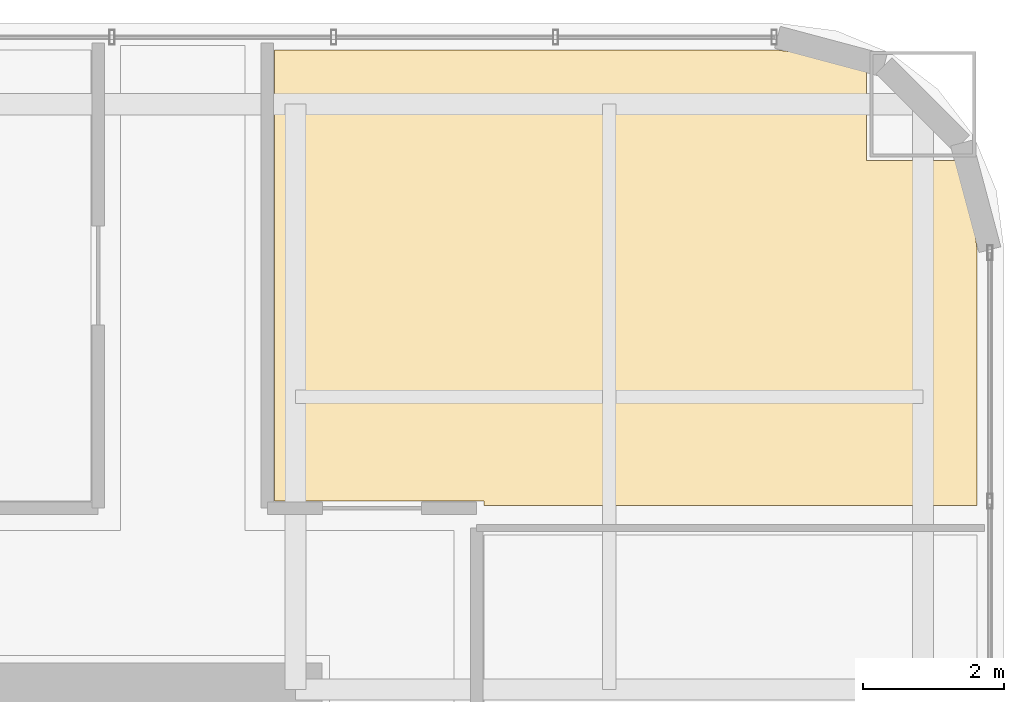
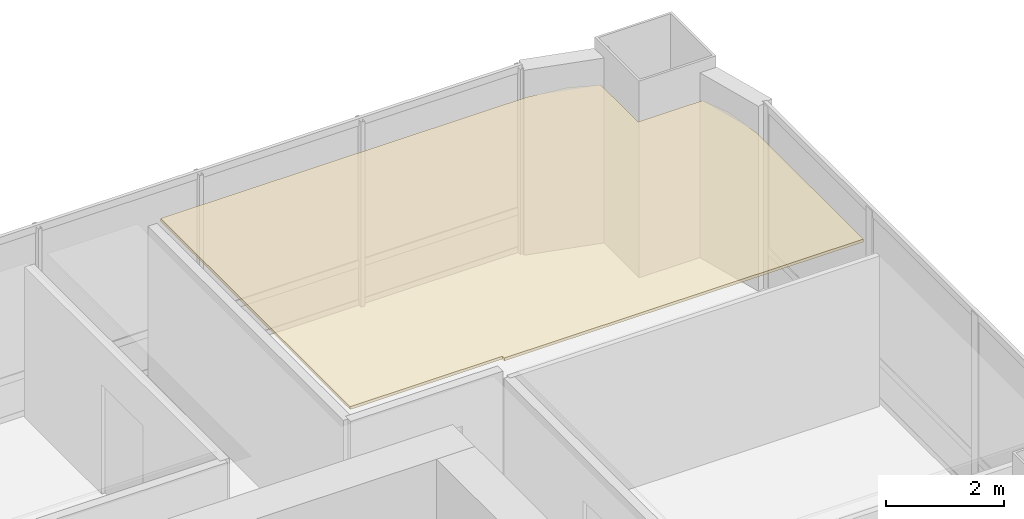
# One storey, part 37 of 37: 1 covering.
"""IFC4 building model written with IfcOpenShell, lengths in metres."""

from ifc_helpers import new_model, si_unit, direction, frame, origin, place, context, subcontext, project, spatial, polyline, outline, extrude, material, layer, layer_set, type_object, element, save


model = new_model("IFC4")

# Units and contexts
model_context = context("Model", 3, precision=1e-05, world=origin(), true_north=direction((0.0, 1.0)))
body_context = subcontext(model_context, "Body", "Model", "MODEL_VIEW")
ifc_project = project(units=[si_unit("LENGTHUNIT", "METRE"), si_unit("AREAUNIT", "SQUARE_METRE"), si_unit("VOLUMEUNIT", "CUBIC_METRE"), si_unit("PLANEANGLEUNIT", "RADIAN"), si_unit("MASSUNIT", "GRAM", prefix="KILO")], contexts=[model_context])

# Site, building, storey
site_placement = place(None, origin())
site = spatial("IfcSite", under=ifc_project, at=site_placement, CompositionType="ELEMENT")
building_placement = place(site_placement, origin())
building = spatial("IfcBuilding", under=site, at=building_placement, Name="Punatoya Terracotta Tower", CompositionType="ELEMENT")
storey_placement = place(building_placement, frame((0.0, 0.0, 44.39990234375)))
storey = spatial("IfcBuildingStorey", under=building, at=storey_placement, Name="L09", CompositionType="ELEMENT", Elevation=44.39990234375)

# Covering
ifc_material = material(Name="Acoustic Mineral Fibre Ceiling")
ifc_layer = layer(ifc_material, 0.06005859375)
ifc_layer_set = layer_set([ifc_layer], Name="Acoustic Mineral Fibre Ceiling")
covering_type = type_object("IfcCoveringType", Name="COV-CEIL-60", PredefinedType="CEILING", material=ifc_layer_set)
covering_placement = place(storey_placement, frame((0.0, 0.0, 3.2001953125)))
element("IfcCovering", 1, at=covering_placement, inside=storey, type_object=covering_type, Name="L09 Open-Plan Translation Conference Room Acoustic Ceiling", PredefinedType="CEILING", context=body_context, shape_type="SweptSolid", body=[
    extrude(outline(polyline([(12.8701171875, 11.81005859375), (19.8701171875, 11.81005859375), (19.8701171875, 15.425048828125), (19.770751953125, 16.178955078125), (19.554931640625, 16.699951171875), (18.300048828125, 16.699951171875), (18.300048828125, 17.955078125), (17.779052734375, 18.1708984375), (17.025146484375, 18.27001953125), (9.89990234375, 18.27001953125), (9.89990234375, 11.8701171875), (12.8701171875, 11.8701171875), (12.8701171875, 11.81005859375)])), origin(), (0.0, 0.0, 1.0), 0.059814453125),
])

save(model, "model.ifc")
